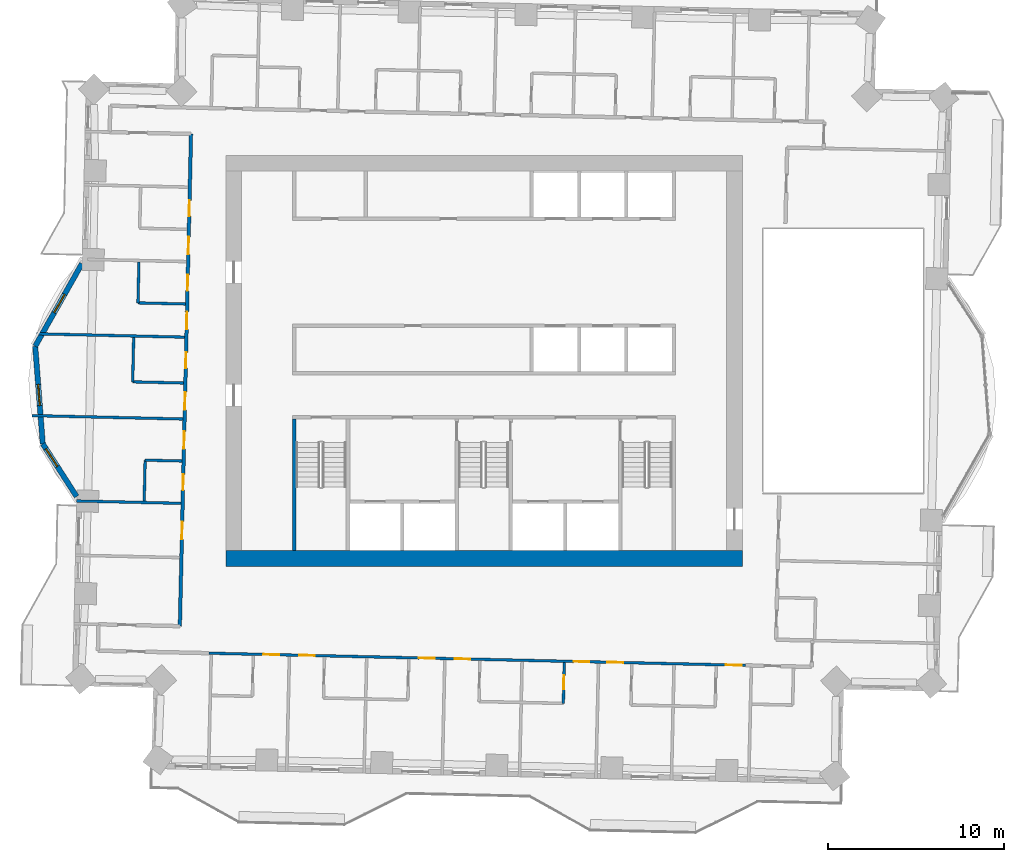
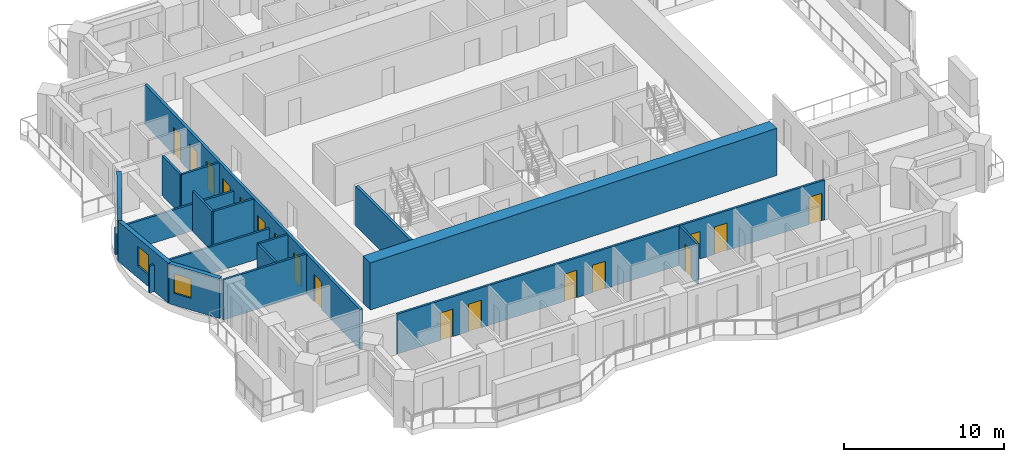
# One storey, part 5 of 14: 17 doors, 17 walls, 3 windows, 20 openings.
"""IFC4 building model written with IfcOpenShell, lengths in metres."""

from ifc_helpers import new_model, si_unit, direction, frame, frame_2d, origin, place, context, subcontext, project, spatial, rectangle, extrude, material, layer, layer_set, type_object, element, fill, save


model = new_model("IFC4")

# Units and contexts
model_context = context("Model", 3, precision=1e-05, world=origin(), true_north=direction((0.0, 1.0)))
body_context = subcontext(model_context, "Body", "Model", "MODEL_VIEW")
ifc_project = project(units=[si_unit("LENGTHUNIT", "METRE"), si_unit("AREAUNIT", "SQUARE_METRE"), si_unit("VOLUMEUNIT", "CUBIC_METRE"), si_unit("PLANEANGLEUNIT", "RADIAN"), si_unit("MASSUNIT", "GRAM", prefix="KILO")], contexts=[model_context])

# Site, building, storey
site_placement = place(None, origin())
site = spatial("IfcSite", under=ifc_project, at=site_placement, CompositionType="ELEMENT")
building_placement = place(site_placement, origin())
building = spatial("IfcBuilding", under=site, at=building_placement, Name="Mangrove Gate Tower", CompositionType="ELEMENT")
storey_placement = place(building_placement, frame((0.0, 0.0, 163.5)))
storey = spatial("IfcBuildingStorey", under=building, at=storey_placement, Name="L41", CompositionType="ELEMENT", Elevation=163.5)

# Walls
ifc_material_1 = material(Name="Concrete C60/75", Category="concrete")
ifc_layer_1 = layer(ifc_material_1, 0.199951171875)
ifc_layer_set_1 = layer_set([ifc_layer_1], Name="Core stair wall 200 C60/75")
wall_type_1 = type_object("IfcWallType", Name="Core stair wall 200 C60/75", PredefinedType="SHEAR", material=ifc_layer_set_1)
wall_1_placement = place(storey_placement, frame((-10.800048828125, -10.800048828125, 0.0), z_axis=(0.0, 0.0, 1.0), x_axis=(0.0, 1.0, 0.0)))
element("IfcWall", 1, at=wall_1_placement, inside=storey, type_object=wall_type_1, Name="WALL-L41-CORE-9", PredefinedType="SHEAR", context=body_context, shape_type="SweptSolid", body=[
    extrude(rectangle(XDim=7.5, YDim=0.199951171875, at=frame_2d((3.75, 0.0))), origin(), (0.0, 0.0, 1.0), 3.050048828125),
])
ifc_material_2 = material(Name="Concrete C60/75", Category="concrete")
ifc_layer_2 = layer(ifc_material_2, 0.89990234375)
ifc_layer_set_2 = layer_set([ifc_layer_2], Name="Core wall 900 C60/75")
wall_type_2 = type_object("IfcWallType", Name="Core wall 900 C60/75", PredefinedType="SHEAR", material=ifc_layer_set_2)
wall_2_placement = place(storey_placement, frame((-14.699951171875, -11.25, 0.0), z_axis=(0.0, 0.0, 1.0), x_axis=(1.0, 0.0, 0.0)))
element("IfcWall", 2, at=wall_2_placement, inside=storey, type_object=wall_type_2, Name="WALL-L41-CORE-1", PredefinedType="SHEAR", context=body_context, shape_type="SweptSolid", body=[
    extrude(rectangle(XDim=29.39990234375, YDim=0.89990234375, at=frame_2d((14.699951171875, 0.0))), origin(), (0.0, 0.0, 1.0), 3.60009765625),
])

# Wall, openings, doors
ifc_material_3 = material(Name="Gypsum board on steel stud, EI 60", Category="steel")
ifc_layer_3 = layer(ifc_material_3, 0.199951171875)
ifc_layer_set_3 = layer_set([ifc_layer_3], Name="Corridor wall EI 60")
wall_type_3 = type_object("IfcWallType", Name="Corridor wall EI 60", PredefinedType="PARTITIONING", material=ifc_layer_set_3)
wall_3_placement = place(storey_placement, frame((-17.320068359375, -15.097900390625, 0.0), z_axis=(0.0, 0.0, 1.0), x_axis=(0.022694293906, 0.999742451346, 0.0)))
wall_3 = element("IfcWall", 3, at=wall_3_placement, inside=storey, type_object=wall_type_3, Name="WALL-L41-027", PredefinedType="PARTITIONING", context=body_context, shape_type="SweptSolid", body=[
    extrude(rectangle(XDim=28.024169921875, YDim=0.199951171875, at=frame_2d((14.01220703125, 0.0))), origin(), (0.0, 0.0, 1.0), 3.050048828125),
])
opening_1_placement = place(wall_3_placement, frame((21.174072265625, 0.0, 0.0)))
opening_1 = element("IfcOpeningElement", 4, at=opening_1_placement, cuts=wall_3, Name="Opening AD", PredefinedType="OPENING", context=body_context, shape_type="SweptSolid", body=[
    extrude(rectangle(XDim=1.0, YDim=2.10009765625, at=frame_2d((0.5, 1.050048828125))), frame((0.0, 0.10986328125, 0.0), z_axis=(0.0, -1.0, 0.0), x_axis=(1.0, 0.0, 0.0)), (0.0, 0.0, 1.0), 0.219970703125),
])
opening_2_placement = place(wall_3_placement, frame((23.34912109375, 0.0, 0.0)))
opening_2 = element("IfcOpeningElement", 5, at=opening_2_placement, cuts=wall_3, Name="Opening SD", PredefinedType="OPENING", context=body_context, shape_type="SweptSolid", body=[
    extrude(rectangle(XDim=0.89990234375, YDim=2.10009765625, at=frame_2d((0.449951171875, 1.050048828125))), frame((0.0, 0.10986328125, 0.0), z_axis=(0.0, -1.0, 0.0), x_axis=(1.0, 0.0, 0.0)), (0.0, 0.0, 1.0), 0.219970703125),
])
opening_3_placement = place(wall_3_placement, frame((16.89892578125, 0.0, 0.0)))
opening_3 = element("IfcOpeningElement", 6, at=opening_3_placement, cuts=wall_3, Name="Opening AD", PredefinedType="OPENING", context=body_context, shape_type="SweptSolid", body=[
    extrude(rectangle(XDim=1.0, YDim=2.10009765625, at=frame_2d((0.5, 1.050048828125))), frame((0.0, 0.10986328125, 0.0), z_axis=(0.0, -1.0, 0.0), x_axis=(1.0, 0.0, 0.0)), (0.0, 0.0, 1.0), 0.219970703125),
])
opening_4_placement = place(wall_3_placement, frame((19.09912109375, 0.0, 0.0)))
opening_4 = element("IfcOpeningElement", 7, at=opening_4_placement, cuts=wall_3, Name="Opening SD", PredefinedType="OPENING", context=body_context, shape_type="SweptSolid", body=[
    extrude(rectangle(XDim=0.89990234375, YDim=2.10009765625, at=frame_2d((0.449951171875, 1.050048828125))), frame((0.0, 0.10986328125, 0.0), z_axis=(0.0, -1.0, 0.0), x_axis=(1.0, 0.0, 0.0)), (0.0, 0.0, 1.0), 0.219970703125),
])
opening_5_placement = place(wall_3_placement, frame((12.323974609375, 0.0, 0.0)))
opening_5 = element("IfcOpeningElement", 8, at=opening_5_placement, cuts=wall_3, Name="Opening AD", PredefinedType="OPENING", context=body_context, shape_type="SweptSolid", body=[
    extrude(rectangle(XDim=1.0, YDim=2.10009765625, at=frame_2d((0.5, 1.050048828125))), frame((0.0, 0.10986328125, 0.0), z_axis=(0.0, -1.0, 0.0), x_axis=(1.0, 0.0, 0.0)), (0.0, 0.0, 1.0), 0.219970703125),
])
opening_6_placement = place(wall_3_placement, frame((14.698974609375, 0.0, 0.0)))
opening_6 = element("IfcOpeningElement", 9, at=opening_6_placement, cuts=wall_3, Name="Opening SD", PredefinedType="OPENING", context=body_context, shape_type="SweptSolid", body=[
    extrude(rectangle(XDim=0.89990234375, YDim=2.10009765625, at=frame_2d((0.449951171875, 1.050048828125))), frame((0.0, 0.10986328125, 0.0), z_axis=(0.0, -1.0, 0.0), x_axis=(1.0, 0.0, 0.0)), (0.0, 0.0, 1.0), 0.219970703125),
])
opening_7_placement = place(wall_3_placement, frame((10.09912109375, 0.0, 0.0)))
opening_7 = element("IfcOpeningElement", 10, at=opening_7_placement, cuts=wall_3, Name="Opening AD", PredefinedType="OPENING", context=body_context, shape_type="SweptSolid", body=[
    extrude(rectangle(XDim=1.0, YDim=2.10009765625, at=frame_2d((0.5, 1.050048828125))), frame((0.0, 0.10986328125, 0.0), z_axis=(0.0, -1.0, 0.0), x_axis=(1.0, 0.0, 0.0)), (0.0, 0.0, 1.0), 0.219970703125),
])
opening_8_placement = place(wall_3_placement, frame((7.7490234375, 0.0, 0.0)))
opening_8 = element("IfcOpeningElement", 11, at=opening_8_placement, cuts=wall_3, Name="Opening SD", PredefinedType="OPENING", context=body_context, shape_type="SweptSolid", body=[
    extrude(rectangle(XDim=0.89990234375, YDim=2.10009765625, at=frame_2d((0.449951171875, 1.050048828125))), frame((0.0, 0.10986328125, 0.0), z_axis=(0.0, -1.0, 0.0), x_axis=(1.0, 0.0, 0.0)), (0.0, 0.0, 1.0), 0.219970703125),
])
opening_9_placement = place(wall_3_placement, frame((4.949951171875, 0.0, 0.0)))
opening_9 = element("IfcOpeningElement", 12, at=opening_9_placement, cuts=wall_3, Name="Opening AD", PredefinedType="OPENING", context=body_context, shape_type="SweptSolid", body=[
    extrude(rectangle(XDim=1.0, YDim=2.10009765625, at=frame_2d((0.5, 1.050048828125))), frame((0.0, 0.10986328125, 0.0), z_axis=(0.0, -1.0, 0.0), x_axis=(1.0, 0.0, 0.0)), (0.0, 0.0, 1.0), 0.219970703125),
])
ifc_material_4 = material(Name="Timber door leaf", Category="wood")
door_type_1 = type_object("IfcDoorType", Name="Amenity door 1000", OperationType="SINGLE_SWING_LEFT", PredefinedType="DOOR", material=ifc_material_4)
door_1_placement = place(opening_1_placement, origin())
door_1 = element("IfcDoor", 13, at=door_1_placement, inside=storey, type_object=door_type_1, Name="DOOR-L41-LNG-c5a", OperationType="SINGLE_SWING_LEFT", OverallHeight=2.10009765625, OverallWidth=1.0, PredefinedType="DOOR", context=body_context, shape_type="SweptSolid", body=[
    extrude(rectangle(XDim=1.0, YDim=2.10009765625, at=frame_2d((0.5, 1.050048828125))), frame((0.0, 0.02490234375, 0.0), z_axis=(0.0, -1.0, 0.0), x_axis=(1.0, 0.0, 0.0)), (0.0, 0.0, 1.0), 0.050048828125),
])
fill(opening_1, door_1)
door_2_placement = place(opening_3_placement, origin())
door_2 = element("IfcDoor", 14, at=door_2_placement, inside=storey, type_object=door_type_1, Name="DOOR-L41-KIT-c5b", OperationType="SINGLE_SWING_RIGHT", OverallHeight=2.10009765625, OverallWidth=1.0, PredefinedType="DOOR", context=body_context, shape_type="SweptSolid", body=[
    extrude(rectangle(XDim=1.0, YDim=2.10009765625, at=frame_2d((0.5, 1.050048828125))), frame((0.0, 0.02490234375, 0.0), z_axis=(0.0, -1.0, 0.0), x_axis=(1.0, 0.0, 0.0)), (0.0, 0.0, 1.0), 0.050048828125),
])
fill(opening_3, door_2)
door_3_placement = place(opening_5_placement, origin())
door_3 = element("IfcDoor", 15, at=door_3_placement, inside=storey, type_object=door_type_1, Name="DOOR-L41-KIT-c5c", OperationType="SINGLE_SWING_LEFT", OverallHeight=2.10009765625, OverallWidth=1.0, PredefinedType="DOOR", context=body_context, shape_type="SweptSolid", body=[
    extrude(rectangle(XDim=1.0, YDim=2.10009765625, at=frame_2d((0.5, 1.050048828125))), frame((0.0, 0.02490234375, 0.0), z_axis=(0.0, -1.0, 0.0), x_axis=(1.0, 0.0, 0.0)), (0.0, 0.0, 1.0), 0.050048828125),
])
fill(opening_5, door_3)
door_4_placement = place(opening_7_placement, origin())
door_4 = element("IfcDoor", 16, at=door_4_placement, inside=storey, type_object=door_type_1, Name="DOOR-L41-GAM-c5a", OperationType="SINGLE_SWING_RIGHT", OverallHeight=2.10009765625, OverallWidth=1.0, PredefinedType="DOOR", context=body_context, shape_type="SweptSolid", body=[
    extrude(rectangle(XDim=1.0, YDim=2.10009765625, at=frame_2d((0.5, 1.050048828125))), frame((0.0, 0.02490234375, 0.0), z_axis=(0.0, -1.0, 0.0), x_axis=(1.0, 0.0, 0.0)), (0.0, 0.0, 1.0), 0.050048828125),
])
fill(opening_7, door_4)
door_5_placement = place(opening_9_placement, origin())
door_5 = element("IfcDoor", 17, at=door_5_placement, inside=storey, type_object=door_type_1, Name="DOOR-L41-STU-c5b", OperationType="SINGLE_SWING_LEFT", OverallHeight=2.10009765625, OverallWidth=1.0, PredefinedType="DOOR", context=body_context, shape_type="SweptSolid", body=[
    extrude(rectangle(XDim=1.0, YDim=2.10009765625, at=frame_2d((0.5, 1.050048828125))), frame((0.0, 0.02490234375, 0.0), z_axis=(0.0, -1.0, 0.0), x_axis=(1.0, 0.0, 0.0)), (0.0, 0.0, 1.0), 0.050048828125),
])
fill(opening_9, door_5)
ifc_material_5 = material(Name="Timber door leaf", Category="wood")
door_type_2 = type_object("IfcDoorType", Name="Service room door 900", OperationType="SINGLE_SWING_LEFT", PredefinedType="DOOR", material=ifc_material_5)
door_6_placement = place(opening_2_placement, origin())
door_6 = element("IfcDoor", 18, at=door_6_placement, inside=storey, type_object=door_type_2, Name="DOOR-L41-WC-c5a", OperationType="SINGLE_SWING_RIGHT", OverallHeight=2.10009765625, OverallWidth=0.89990234375, PredefinedType="DOOR", context=body_context, shape_type="SweptSolid", body=[
    extrude(rectangle(XDim=0.89990234375, YDim=2.10009765625, at=frame_2d((0.449951171875, 1.050048828125))), frame((0.0, 0.02490234375, 0.0), z_axis=(0.0, -1.0, 0.0), x_axis=(1.0, 0.0, 0.0)), (0.0, 0.0, 1.0), 0.050048828125),
])
fill(opening_2, door_6)
door_7_placement = place(opening_4_placement, origin())
door_7 = element("IfcDoor", 19, at=door_7_placement, inside=storey, type_object=door_type_2, Name="DOOR-L41-WC-c5b", OperationType="SINGLE_SWING_LEFT", OverallHeight=2.10009765625, OverallWidth=0.89990234375, PredefinedType="DOOR", context=body_context, shape_type="SweptSolid", body=[
    extrude(rectangle(XDim=0.89990234375, YDim=2.10009765625, at=frame_2d((0.449951171875, 1.050048828125))), frame((0.0, 0.02490234375, 0.0), z_axis=(0.0, -1.0, 0.0), x_axis=(1.0, 0.0, 0.0)), (0.0, 0.0, 1.0), 0.050048828125),
])
fill(opening_4, door_7)
door_8_placement = place(opening_6_placement, origin())
door_8 = element("IfcDoor", 20, at=door_8_placement, inside=storey, type_object=door_type_2, Name="DOOR-L41-AWC-c5b", OperationType="SINGLE_SWING_RIGHT", OverallHeight=2.10009765625, OverallWidth=0.89990234375, PredefinedType="DOOR", context=body_context, shape_type="SweptSolid", body=[
    extrude(rectangle(XDim=0.89990234375, YDim=2.10009765625, at=frame_2d((0.449951171875, 1.050048828125))), frame((0.0, 0.02490234375, 0.0), z_axis=(0.0, -1.0, 0.0), x_axis=(1.0, 0.0, 0.0)), (0.0, 0.0, 1.0), 0.050048828125),
])
fill(opening_6, door_8)
door_9_placement = place(opening_8_placement, origin())
door_9 = element("IfcDoor", 21, at=door_9_placement, inside=storey, type_object=door_type_2, Name="DOOR-L41-LIN-c5a", OperationType="SINGLE_SWING_LEFT", OverallHeight=2.10009765625, OverallWidth=0.89990234375, PredefinedType="DOOR", context=body_context, shape_type="SweptSolid", body=[
    extrude(rectangle(XDim=0.89990234375, YDim=2.10009765625, at=frame_2d((0.449951171875, 1.050048828125))), frame((0.0, 0.02490234375, 0.0), z_axis=(0.0, -1.0, 0.0), x_axis=(1.0, 0.0, 0.0)), (0.0, 0.0, 1.0), 0.050048828125),
])
fill(opening_8, door_9)

# Wall, opening, window
ifc_material_6 = material(Name="Limestone", Category="masonry")
ifc_layer_4 = layer(ifc_material_6, 0.0400390625, Name="Limestone cladding")
ifc_material_7 = material(Name="Ventilated air gap")
ifc_layer_5 = layer(ifc_material_7, 0.0400390625, Name="Ventilated cavity")
ifc_material_8 = material(Name="Mineral wool insulation")
ifc_layer_6 = layer(ifc_material_8, 0.06005859375, Name="Insulation")
ifc_material_9 = material(Name="Breather membrane")
ifc_layer_7 = layer(ifc_material_9, 0.001953125, Name="Breather membrane")
ifc_material_10 = material(Name="Concrete C20/25 blockwork", Category="masonry")
ifc_layer_8 = layer(ifc_material_10, 0.14990234375, Name="Blockwork backing wall")
ifc_material_11 = material(Name="Gypsum plaster")
ifc_layer_9 = layer(ifc_material_11, 0.008056640625, Name="Internal plaster")
ifc_layer_set_4 = layer_set([ifc_layer_4, ifc_layer_5, ifc_layer_6, ifc_layer_7, ifc_layer_8, ifc_layer_9], Name="External wall 300 limestone cladding")
wall_type_4 = type_object("IfcWallType", Name="External wall 300 limestone cladding", PredefinedType="SOLIDWALL", material=ifc_layer_set_4)
wall_4_placement = place(storey_placement, frame((-22.89404296875, 5.537109375, 0.0), z_axis=(0.0, 0.0, 1.0), x_axis=(-0.492495436053, -0.870315026566, 0.0)))
wall_4 = element("IfcWall", 22, at=wall_4_placement, inside=storey, type_object=wall_type_4, Name="WALL-L41-W9f1", PredefinedType="SOLIDWALL", context=body_context, shape_type="SweptSolid", body=[
    extrude(rectangle(XDim=5.39697265625, YDim=0.300048828125, at=frame_2d((2.698486328125, 0.0))), origin(), (0.0, 0.0, 1.0), 3.050048828125),
])
opening_10_placement = place(wall_4_placement, frame((2.007080078125, 0.0, 0.89990234375)))
opening_10 = element("IfcOpeningElement", 23, at=opening_10_placement, cuts=wall_4, Name="Opening W1", PredefinedType="OPENING", context=body_context, shape_type="SweptSolid", body=[
    extrude(rectangle(XDim=1.199951171875, YDim=1.5, at=frame_2d((0.60009765625, 0.75))), frame((0.0, 0.159912109375, 0.0), z_axis=(0.0, -1.0, 0.0), x_axis=(1.0, 0.0, 0.0)), (0.0, 0.0, 1.0), 0.320068359375),
])
ifc_material_12 = material(Name="Aluminium frame with double-glazed low-e glass", Category="aluminium")
window_type = type_object("IfcWindowType", Name="Side lite 1200x1500", PartitioningType="SINGLE_PANEL", PredefinedType="WINDOW", material=ifc_material_12)
window_1_placement = place(opening_10_placement, origin())
window_1 = element("IfcWindow", 24, at=window_1_placement, inside=storey, type_object=window_type, Name="WIN-L41-W9f1", OverallHeight=1.5, OverallWidth=1.199951171875, PartitioningType="SINGLE_PANEL", PredefinedType="WINDOW", context=body_context, shape_type="SweptSolid", body=[
    extrude(rectangle(XDim=1.199951171875, YDim=1.5, at=frame_2d((0.60009765625, 0.75))), frame((0.0, 0.030029296875, 0.0), z_axis=(0.0, -1.0, 0.0), x_axis=(1.0, 0.0, 0.0)), (0.0, 0.0, 1.0), 0.06005859375),
])
fill(opening_10, window_1)

wall_5_placement = place(storey_placement, frame((-25.552001953125, 0.840087890625, 0.0), z_axis=(0.0, 0.0, 1.0), x_axis=(0.076961115238, -0.997034095075, 0.0)))
wall_5 = element("IfcWall", 25, at=wall_5_placement, inside=storey, type_object=wall_type_4, Name="WALL-L41-W9f2", PredefinedType="SOLIDWALL", context=body_context, shape_type="SweptSolid", body=[
    extrude(rectangle(XDim=5.57373046875, YDim=0.300048828125, at=frame_2d((2.786865234375, 0.0))), origin(), (0.0, 0.0, 1.0), 3.050048828125),
])
opening_11_placement = place(wall_5_placement, frame((2.18701171875, 0.0, 0.89990234375)))
opening_11 = element("IfcOpeningElement", 26, at=opening_11_placement, cuts=wall_5, Name="Opening W1", PredefinedType="OPENING", context=body_context, shape_type="SweptSolid", body=[
    extrude(rectangle(XDim=1.199951171875, YDim=1.5, at=frame_2d((0.60009765625, 0.75))), frame((0.0, 0.159912109375, 0.0), z_axis=(0.0, -1.0, 0.0), x_axis=(1.0, 0.0, 0.0)), (0.0, 0.0, 1.0), 0.320068359375),
])
window_2_placement = place(opening_11_placement, origin())
window_2 = element("IfcWindow", 27, at=window_2_placement, inside=storey, type_object=window_type, Name="WIN-L41-W9f2", OverallHeight=1.5, OverallWidth=1.199951171875, PartitioningType="SINGLE_PANEL", PredefinedType="WINDOW", context=body_context, shape_type="SweptSolid", body=[
    extrude(rectangle(XDim=1.199951171875, YDim=1.5, at=frame_2d((0.60009765625, 0.75))), frame((0.0, 0.030029296875, 0.0), z_axis=(0.0, -1.0, 0.0), x_axis=(1.0, 0.0, 0.0)), (0.0, 0.0, 1.0), 0.06005859375),
])
fill(opening_11, window_2)

wall_6_placement = place(storey_placement, frame((-25.123046875, -4.717041015625, 0.0), z_axis=(0.0, 0.0, 1.0), x_axis=(0.54058467792, -0.841289608873, 0.0)))
wall_6 = element("IfcWall", 28, at=wall_6_placement, inside=storey, type_object=wall_type_4, Name="WALL-L41-W9f3", PredefinedType="SOLIDWALL", context=body_context, shape_type="SweptSolid", body=[
    extrude(rectangle(XDim=3.568359375, YDim=0.300048828125, at=frame_2d((1.7841796875, 0.0))), origin(), (0.0, 0.0, 1.0), 3.050048828125),
])
opening_12_placement = place(wall_6_placement, frame((0.337890625, 0.0, 0.89990234375)))
opening_12 = element("IfcOpeningElement", 29, at=opening_12_placement, cuts=wall_6, Name="Opening W1", PredefinedType="OPENING", context=body_context, shape_type="SweptSolid", body=[
    extrude(rectangle(XDim=1.199951171875, YDim=1.5, at=frame_2d((0.60009765625, 0.75))), frame((0.0, 0.159912109375, 0.0), z_axis=(0.0, -1.0, 0.0), x_axis=(1.0, 0.0, 0.0)), (0.0, 0.0, 1.0), 0.320068359375),
])
window_3_placement = place(opening_12_placement, origin())
window_3 = element("IfcWindow", 30, at=window_3_placement, inside=storey, type_object=window_type, Name="WIN-L41-W9f3", OverallHeight=1.5, OverallWidth=1.199951171875, PartitioningType="SINGLE_PANEL", PredefinedType="WINDOW", context=body_context, shape_type="SweptSolid", body=[
    extrude(rectangle(XDim=1.199951171875, YDim=1.5, at=frame_2d((0.60009765625, 0.75))), frame((0.0, 0.030029296875, 0.0), z_axis=(0.0, -1.0, 0.0), x_axis=(1.0, 0.0, 0.0)), (0.0, 0.0, 1.0), 0.06005859375),
])
fill(opening_12, window_3)

# Wall, opening, door
ifc_material_13 = material(Name="Gypsum board on steel stud, EI 60", Category="steel")
ifc_layer_10 = layer(ifc_material_13, 0.14990234375)
ifc_layer_set_5 = layer_set([ifc_layer_10], Name="Party wall 150 EI 60")
wall_type_5 = type_object("IfcWallType", Name="Party wall 150 EI 60", PredefinedType="PARTITIONING", material=ifc_layer_set_5)
wall_7_placement = place(storey_placement, frame((4.506103515625, -19.4951171875, 0.0), z_axis=(0.0, 0.0, 1.0), x_axis=(0.022778632478, 0.99974053329, 0.0)))
wall_7 = element("IfcWall", 31, at=wall_7_placement, inside=storey, type_object=wall_type_5, Name="WALL-L41-013", PredefinedType="PARTITIONING", context=body_context, shape_type="SweptSolid", body=[
    extrude(rectangle(XDim=2.32568359375, YDim=0.14990234375, at=frame_2d((1.162841796875, 0.0))), origin(), (0.0, 0.0, 1.0), 3.050048828125),
])
opening_13_placement = place(wall_7_placement, frame((0.800048828125, 0.0, 0.0)))
opening_13 = element("IfcOpeningElement", 32, at=opening_13_placement, cuts=wall_7, Name="Opening ED", PredefinedType="OPENING", context=body_context, shape_type="SweptSolid", body=[
    extrude(rectangle(XDim=0.800048828125, YDim=2.10009765625, at=frame_2d((0.39990234375, 1.050048828125))), frame((0.0, 0.0849609375, 0.0), z_axis=(0.0, -1.0, 0.0), x_axis=(1.0, 0.0, 0.0)), (0.0, 0.0, 1.0), 0.169921875),
])
ifc_material_14 = material(Name="Timber door leaf", Category="wood")
door_type_3 = type_object("IfcDoorType", Name="En-suite door 800", OperationType="SINGLE_SWING_LEFT", PredefinedType="DOOR", material=ifc_material_14)
door_10_placement = place(opening_13_placement, origin())
door_10 = element("IfcDoor", 33, at=door_10_placement, inside=storey, type_object=door_type_3, Name="DOOR-L41-ENS-c205", OperationType="SINGLE_SWING_LEFT", OverallHeight=2.10009765625, OverallWidth=0.800048828125, PredefinedType="DOOR", context=body_context, shape_type="SweptSolid", body=[
    extrude(rectangle(XDim=0.800048828125, YDim=2.10009765625, at=frame_2d((0.39990234375, 1.050048828125))), frame((0.0, 0.02490234375, 0.0), z_axis=(0.0, -1.0, 0.0), x_axis=(1.0, 0.0, 0.0)), (0.0, 0.0, 1.0), 0.050048828125),
])
fill(opening_13, door_10)

# Wall, openings, doors
wall_8_placement = place(storey_placement, frame((-15.64892578125, -16.633056640625, 0.0), z_axis=(0.0, 0.0, 1.0), x_axis=(0.999743261737, -0.022658565952, 0.0)))
wall_8 = element("IfcWall", 34, at=wall_8_placement, inside=storey, type_object=wall_type_5, Name="WALL-L41-025", PredefinedType="PARTITIONING", context=body_context, shape_type="SweptSolid", body=[
    extrude(rectangle(XDim=30.53564453125, YDim=0.14990234375, at=frame_2d((15.267822265625, 0.0))), origin(), (0.0, 0.0, 1.0), 3.050048828125),
])
opening_14_placement = place(wall_8_placement, frame((3.090087890625, 0.0, 0.0)))
opening_14 = element("IfcOpeningElement", 35, at=opening_14_placement, cuts=wall_8, Name="Opening BD", PredefinedType="OPENING", context=body_context, shape_type="SweptSolid", body=[
    extrude(rectangle(XDim=0.89990234375, YDim=2.10009765625, at=frame_2d((0.449951171875, 1.050048828125))), frame((0.0, 0.0849609375, 0.0), z_axis=(0.0, -1.0, 0.0), x_axis=(1.0, 0.0, 0.0)), (0.0, 0.0, 1.0), 0.169921875),
])
opening_15_placement = place(wall_8_placement, frame((5.114990234375, 0.0, 0.0)))
opening_15 = element("IfcOpeningElement", 36, at=opening_15_placement, cuts=wall_8, Name="Opening BD", PredefinedType="OPENING", context=body_context, shape_type="SweptSolid", body=[
    extrude(rectangle(XDim=0.89990234375, YDim=2.10009765625, at=frame_2d((0.449951171875, 1.050048828125))), frame((0.0, 0.0849609375, 0.0), z_axis=(0.0, -1.0, 0.0), x_axis=(1.0, 0.0, 0.0)), (0.0, 0.0, 1.0), 0.169921875),
])
opening_16_placement = place(wall_8_placement, frame((11.93994140625, 0.0, 0.0)))
opening_16 = element("IfcOpeningElement", 37, at=opening_16_placement, cuts=wall_8, Name="Opening BD", PredefinedType="OPENING", context=body_context, shape_type="SweptSolid", body=[
    extrude(rectangle(XDim=0.89990234375, YDim=2.10009765625, at=frame_2d((0.449951171875, 1.050048828125))), frame((0.0, 0.0849609375, 0.0), z_axis=(0.0, -1.0, 0.0), x_axis=(1.0, 0.0, 0.0)), (0.0, 0.0, 1.0), 0.169921875),
])
opening_17_placement = place(wall_8_placement, frame((13.965087890625, 0.0, 0.0)))
opening_17 = element("IfcOpeningElement", 38, at=opening_17_placement, cuts=wall_8, Name="Opening BD", PredefinedType="OPENING", context=body_context, shape_type="SweptSolid", body=[
    extrude(rectangle(XDim=0.89990234375, YDim=2.10009765625, at=frame_2d((0.449951171875, 1.050048828125))), frame((0.0, 0.0849609375, 0.0), z_axis=(0.0, -1.0, 0.0), x_axis=(1.0, 0.0, 0.0)), (0.0, 0.0, 1.0), 0.169921875),
])
opening_18_placement = place(wall_8_placement, frame((20.739990234375, 0.0, 0.0)))
opening_18 = element("IfcOpeningElement", 39, at=opening_18_placement, cuts=wall_8, Name="Opening BD", PredefinedType="OPENING", context=body_context, shape_type="SweptSolid", body=[
    extrude(rectangle(XDim=0.89990234375, YDim=2.10009765625, at=frame_2d((0.449951171875, 1.050048828125))), frame((0.0, 0.0849609375, 0.0), z_axis=(0.0, -1.0, 0.0), x_axis=(1.0, 0.0, 0.0)), (0.0, 0.0, 1.0), 0.169921875),
])
opening_19_placement = place(wall_8_placement, frame((22.6650390625, 0.0, 0.0)))
opening_19 = element("IfcOpeningElement", 40, at=opening_19_placement, cuts=wall_8, Name="Opening BD", PredefinedType="OPENING", context=body_context, shape_type="SweptSolid", body=[
    extrude(rectangle(XDim=0.89990234375, YDim=2.10009765625, at=frame_2d((0.449951171875, 1.050048828125))), frame((0.0, 0.0849609375, 0.0), z_axis=(0.0, -1.0, 0.0), x_axis=(1.0, 0.0, 0.0)), (0.0, 0.0, 1.0), 0.169921875),
])
opening_20_placement = place(wall_8_placement, frame((29.4150390625, 0.0, 0.0)))
opening_20 = element("IfcOpeningElement", 41, at=opening_20_placement, cuts=wall_8, Name="Opening BD", PredefinedType="OPENING", context=body_context, shape_type="SweptSolid", body=[
    extrude(rectangle(XDim=0.89990234375, YDim=2.10009765625, at=frame_2d((0.449951171875, 1.050048828125))), frame((0.0, 0.0849609375, 0.0), z_axis=(0.0, -1.0, 0.0), x_axis=(1.0, 0.0, 0.0)), (0.0, 0.0, 1.0), 0.169921875),
])
ifc_material_15 = material(Name="Timber door leaf", Category="wood")
door_type_4 = type_object("IfcDoorType", Name="Bedroom door 900", OperationType="SINGLE_SWING_LEFT", PredefinedType="DOOR", material=ifc_material_15)
door_11_placement = place(opening_14_placement, origin())
door_11 = element("IfcDoor", 42, at=door_11_placement, inside=storey, type_object=door_type_4, Name="DOOR-L41-BED-c101", OperationType="SINGLE_SWING_LEFT", OverallHeight=2.10009765625, OverallWidth=0.89990234375, PredefinedType="DOOR", context=body_context, shape_type="SweptSolid", body=[
    extrude(rectangle(XDim=0.89990234375, YDim=2.10009765625, at=frame_2d((0.449951171875, 1.050048828125))), frame((0.0, 0.02490234375, 0.0), z_axis=(0.0, -1.0, 0.0), x_axis=(1.0, 0.0, 0.0)), (0.0, 0.0, 1.0), 0.050048828125),
])
fill(opening_14, door_11)
door_12_placement = place(opening_15_placement, origin())
door_12 = element("IfcDoor", 43, at=door_12_placement, inside=storey, type_object=door_type_4, Name="DOOR-L41-BED-c102", OperationType="SINGLE_SWING_RIGHT", OverallHeight=2.10009765625, OverallWidth=0.89990234375, PredefinedType="DOOR", context=body_context, shape_type="SweptSolid", body=[
    extrude(rectangle(XDim=0.89990234375, YDim=2.10009765625, at=frame_2d((0.449951171875, 1.050048828125))), frame((0.0, 0.02490234375, 0.0), z_axis=(0.0, -1.0, 0.0), x_axis=(1.0, 0.0, 0.0)), (0.0, 0.0, 1.0), 0.050048828125),
])
fill(opening_15, door_12)
door_13_placement = place(opening_16_placement, origin())
door_13 = element("IfcDoor", 44, at=door_13_placement, inside=storey, type_object=door_type_4, Name="DOOR-L41-BED-c103", OperationType="SINGLE_SWING_LEFT", OverallHeight=2.10009765625, OverallWidth=0.89990234375, PredefinedType="DOOR", context=body_context, shape_type="SweptSolid", body=[
    extrude(rectangle(XDim=0.89990234375, YDim=2.10009765625, at=frame_2d((0.449951171875, 1.050048828125))), frame((0.0, 0.02490234375, 0.0), z_axis=(0.0, -1.0, 0.0), x_axis=(1.0, 0.0, 0.0)), (0.0, 0.0, 1.0), 0.050048828125),
])
fill(opening_16, door_13)
door_14_placement = place(opening_17_placement, origin())
door_14 = element("IfcDoor", 45, at=door_14_placement, inside=storey, type_object=door_type_4, Name="DOOR-L41-BED-c204", OperationType="SINGLE_SWING_RIGHT", OverallHeight=2.10009765625, OverallWidth=0.89990234375, PredefinedType="DOOR", context=body_context, shape_type="SweptSolid", body=[
    extrude(rectangle(XDim=0.89990234375, YDim=2.10009765625, at=frame_2d((0.449951171875, 1.050048828125))), frame((0.0, 0.02490234375, 0.0), z_axis=(0.0, -1.0, 0.0), x_axis=(1.0, 0.0, 0.0)), (0.0, 0.0, 1.0), 0.050048828125),
])
fill(opening_17, door_14)
door_15_placement = place(opening_18_placement, origin())
door_15 = element("IfcDoor", 46, at=door_15_placement, inside=storey, type_object=door_type_4, Name="DOOR-L41-BED-c205", OperationType="SINGLE_SWING_LEFT", OverallHeight=2.10009765625, OverallWidth=0.89990234375, PredefinedType="DOOR", context=body_context, shape_type="SweptSolid", body=[
    extrude(rectangle(XDim=0.89990234375, YDim=2.10009765625, at=frame_2d((0.449951171875, 1.050048828125))), frame((0.0, 0.02490234375, 0.0), z_axis=(0.0, -1.0, 0.0), x_axis=(1.0, 0.0, 0.0)), (0.0, 0.0, 1.0), 0.050048828125),
])
fill(opening_18, door_15)
door_16_placement = place(opening_19_placement, origin())
door_16 = element("IfcDoor", 47, at=door_16_placement, inside=storey, type_object=door_type_4, Name="DOOR-L41-BED-c206", OperationType="SINGLE_SWING_RIGHT", OverallHeight=2.10009765625, OverallWidth=0.89990234375, PredefinedType="DOOR", context=body_context, shape_type="SweptSolid", body=[
    extrude(rectangle(XDim=0.89990234375, YDim=2.10009765625, at=frame_2d((0.449951171875, 1.050048828125))), frame((0.0, 0.02490234375, 0.0), z_axis=(0.0, -1.0, 0.0), x_axis=(1.0, 0.0, 0.0)), (0.0, 0.0, 1.0), 0.050048828125),
])
fill(opening_19, door_16)
door_17_placement = place(opening_20_placement, origin())
door_17 = element("IfcDoor", 48, at=door_17_placement, inside=storey, type_object=door_type_4, Name="DOOR-L41-BED-c307", OperationType="SINGLE_SWING_LEFT", OverallHeight=2.10009765625, OverallWidth=0.89990234375, PredefinedType="DOOR", context=body_context, shape_type="SweptSolid", body=[
    extrude(rectangle(XDim=0.89990234375, YDim=2.10009765625, at=frame_2d((0.449951171875, 1.050048828125))), frame((0.0, 0.02490234375, 0.0), z_axis=(0.0, -1.0, 0.0), x_axis=(1.0, 0.0, 0.0)), (0.0, 0.0, 1.0), 0.050048828125),
])
fill(opening_20, door_17)

# Walls
wall_9_placement = place(storey_placement, frame((-23.18994140625, -7.968994140625, 0.0), z_axis=(0.0, 0.0, 1.0), x_axis=(0.999741261868, -0.022746633113, 0.0)))
element("IfcWall", 49, at=wall_9_placement, inside=storey, type_object=wall_type_5, Name="WALL-L41-037", PredefinedType="PARTITIONING", context=body_context, shape_type="SweptSolid", body=[
    extrude(rectangle(XDim=5.935302734375, YDim=0.14990234375, at=frame_2d((2.9677734375, 0.0))), origin(), (0.0, 0.0, 1.0), 3.050048828125),
])
wall_10_placement = place(storey_placement, frame((-19.34912109375, -7.97607421875, 0.0), z_axis=(0.0, 0.0, 1.0), x_axis=(0.022895561926, 0.999737862264, 0.0)))
element("IfcWall", 50, at=wall_10_placement, inside=storey, type_object=wall_type_5, Name="WALL-L41-038", PredefinedType="PARTITIONING", context=body_context, shape_type="SweptSolid", body=[
    extrude(rectangle(XDim=2.324462890625, YDim=0.14990234375, at=frame_2d((1.162109375, 0.0))), origin(), (0.0, 0.0, 1.0), 3.050048828125),
])
wall_11_placement = place(storey_placement, frame((-19.301025390625, -5.64697265625, 0.0), z_axis=(0.0, 0.0, 1.0), x_axis=(0.999748159451, -0.022441427631, 0.0)))
element("IfcWall", 51, at=wall_11_placement, inside=storey, type_object=wall_type_5, Name="WALL-L41-039", PredefinedType="PARTITIONING", context=body_context, shape_type="SweptSolid", body=[
    extrude(rectangle(XDim=2.099609375, YDim=0.14990234375, at=frame_2d((1.0498046875, 0.0))), origin(), (0.0, 0.0, 1.0), 3.050048828125),
])
wall_12_placement = place(storey_placement, frame((-25.736083984375, -3.110107421875, 0.0), z_axis=(0.0, 0.0, 1.0), x_axis=(0.99974284683, -0.02267686512, 0.0)))
element("IfcWall", 52, at=wall_12_placement, inside=storey, type_object=wall_type_5, Name="WALL-L41-040", PredefinedType="PARTITIONING", context=body_context, shape_type="SweptSolid", body=[
    extrude(rectangle(XDim=8.59130859375, YDim=0.14990234375, at=frame_2d((4.295654296875, 0.0))), origin(), (0.0, 0.0, 1.0), 2.050048828125),
])
wall_13_placement = place(storey_placement, frame((-20.0, -1.18994140625, 0.0), z_axis=(0.0, 0.0, 1.0), x_axis=(0.999739657619, -0.022817032779, 0.0)))
element("IfcWall", 53, at=wall_13_placement, inside=storey, type_object=wall_type_5, Name="WALL-L41-041", PredefinedType="PARTITIONING", context=body_context, shape_type="SweptSolid", body=[
    extrude(rectangle(XDim=2.899658203125, YDim=0.14990234375, at=frame_2d((1.44970703125, 0.0))), origin(), (0.0, 0.0, 1.0), 3.050048828125),
])
wall_14_placement = place(storey_placement, frame((-20.0048828125, -1.18505859375, 0.0), z_axis=(0.0, 0.0, 1.0), x_axis=(0.022521599255, 0.999746356616, 0.0)))
element("IfcWall", 54, at=wall_14_placement, inside=storey, type_object=wall_type_5, Name="WALL-L41-042", PredefinedType="PARTITIONING", context=body_context, shape_type="SweptSolid", body=[
    extrude(rectangle(XDim=2.52587890625, YDim=0.14990234375, at=frame_2d((1.262939453125, 0.0))), origin(), (0.0, 0.0, 1.0), 3.050048828125),
])
wall_15_placement = place(storey_placement, frame((-25.47607421875, 1.544921875, 0.0), z_axis=(0.0, 0.0, 1.0), x_axis=(0.9997438932, -0.022630687329, 0.0)))
element("IfcWall", 55, at=wall_15_placement, inside=storey, type_object=wall_type_5, Name="WALL-L41-043", PredefinedType="PARTITIONING", context=body_context, shape_type="SweptSolid", body=[
    extrude(rectangle(XDim=8.436279296875, YDim=0.14990234375, at=frame_2d((4.21826171875, 0.0))), origin(), (0.0, 0.0, 1.0), 2.050048828125),
])
wall_16_placement = place(storey_placement, frame((-19.697998046875, 3.303955078125, 0.0), z_axis=(0.0, 0.0, 1.0), x_axis=(0.999744396973, -0.02260842146, 0.0)))
element("IfcWall", 56, at=wall_16_placement, inside=storey, type_object=wall_type_5, Name="WALL-L41-044", PredefinedType="PARTITIONING", context=body_context, shape_type="SweptSolid", body=[
    extrude(rectangle(XDim=2.69970703125, YDim=0.14990234375, at=frame_2d((1.349853515625, 0.0))), origin(), (0.0, 0.0, 1.0), 3.050048828125),
])
wall_17_placement = place(storey_placement, frame((-19.702880859375, 3.31005859375, 0.0), z_axis=(0.0, 0.0, 1.0), x_axis=(0.02279059109, 0.999740260747, 0.0)))
element("IfcWall", 57, at=wall_17_placement, inside=storey, type_object=wall_type_5, Name="WALL-L41-045", PredefinedType="PARTITIONING", context=body_context, shape_type="SweptSolid", body=[
    extrude(rectangle(XDim=2.324462890625, YDim=0.14990234375, at=frame_2d((1.162109375, 0.0))), origin(), (0.0, 0.0, 1.0), 3.050048828125),
])

save(model, "model.ifc")
